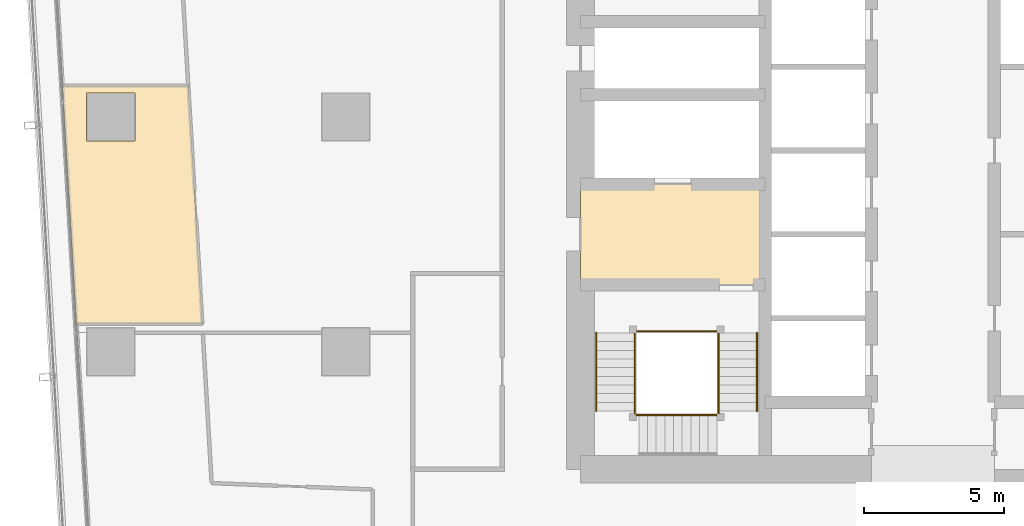
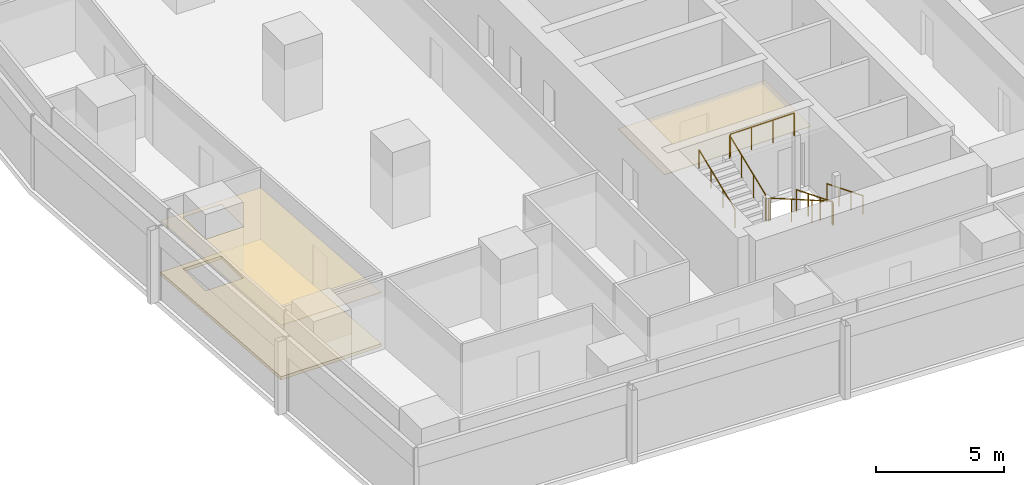
# One storey, part 33 of 39: 9 railings, 3 coverings.
"""IFC4 building model written with IfcOpenShell, lengths in metres."""

from ifc_helpers import new_model, si_unit, direction, frame, origin, origin_2d, place, context, subcontext, project, spatial, polyline, circle, outline, extrude, material, layer, layer_set, type_object, element, save


model = new_model("IFC4")

# Units and contexts
model_context = context("Model", 3, precision=1e-05, world=origin(), true_north=direction((0.0, 1.0)))
body_context = subcontext(model_context, "Body", "Model", "MODEL_VIEW")
ifc_project = project(units=[si_unit("LENGTHUNIT", "METRE"), si_unit("AREAUNIT", "SQUARE_METRE"), si_unit("VOLUMEUNIT", "CUBIC_METRE"), si_unit("PLANEANGLEUNIT", "RADIAN"), si_unit("MASSUNIT", "GRAM", prefix="KILO")], contexts=[model_context])

# Site, building, storey
site_placement = place(None, origin())
site = spatial("IfcSite", under=ifc_project, at=site_placement, CompositionType="ELEMENT")
building_placement = place(site_placement, origin())
building = spatial("IfcBuilding", under=site, at=building_placement, Name="Rekha Terrace Tower", CompositionType="ELEMENT")
storey_placement = place(building_placement, frame((0.0, 0.0, 180.199951171875)))
storey = spatial("IfcBuildingStorey", under=building, at=storey_placement, Name="L45", CompositionType="ELEMENT", Elevation=180.199951171875)

# Coverings
ifc_material_1 = material(Name="Mineral fibre tile in exposed grid", Category="finish")
ifc_layer_1 = layer(ifc_material_1, 0.02001953125)
ifc_layer_set_1 = layer_set([ifc_layer_1], Name="Mineral fibre tile in exposed grid")
covering_type_1 = type_object("IfcCoveringType", Name="CL1 600x1200 office grid ceiling", PredefinedType="CEILING", material=ifc_layer_set_1)
covering_1_placement = place(storey_placement, frame((0.0, 0.0, 2.580078125)))
element("IfcCovering", 1, at=covering_1_placement, inside=storey, type_object=covering_type_1, Name="Ceiling L45-21", PredefinedType="CEILING", context=body_context, shape_type="SweptSolid", body=[
    extrude(outline(polyline([(11.16796875, 34.7099609375), (6.660888671875, 34.7099609375), (7.162109375, 26.198974609375), (11.669921875, 26.198974609375), (11.16796875, 34.7099609375)]), holes=[polyline([(9.264892578125, 34.465087890625), (9.264892578125, 32.735107421875), (7.534912109375, 32.735107421875), (7.534912109375, 34.465087890625), (9.264892578125, 34.465087890625)])]), origin(), (0.0, 0.0, 1.0), 0.02001953125),
])
ifc_material_2 = material(Name="Powder-coated aluminium pan", Category="aluminium")
ifc_layer_2 = layer(ifc_material_2, 0.030029296875)
ifc_layer_set_2 = layer_set([ifc_layer_2], Name="Powder-coated aluminium pan")
covering_type_2 = type_object("IfcCoveringType", Name="CL3 300x1200 metal pan ceiling", PredefinedType="CEILING", material=ifc_layer_set_2)
covering_2_placement = place(storey_placement, frame((0.0, 0.0, 2.570068359375)))
element("IfcCovering", 2, at=covering_2_placement, inside=storey, type_object=covering_type_2, Name="Ceiling L45-FLB1", PredefinedType="CEILING", context=body_context, shape_type="SweptSolid", body=[
    extrude(outline(polyline([(31.800048828125, 31.199951171875), (25.199951171875, 31.199951171875), (25.199951171875, 27.60009765625), (31.800048828125, 27.60009765625), (31.800048828125, 31.199951171875)])), origin(), (0.0, 0.0, 1.0), 0.030029296875),
])

# Railings
ifc_material_3 = material(Name="Stainless steel balustrade", Category="steel")
railing_type_1 = type_object("IfcRailingType", Name="GR1 1100 stair guard", PredefinedType="GUARDRAIL", material=ifc_material_3)
railing_1_placement = place(storey_placement, frame((30.135009765625, 25.875, 0.125)))
element("IfcRailing", 3, at=railing_1_placement, inside=storey, type_object=railing_type_1, Name="Guard ST1 L45 flight 1", PredefinedType="GUARDRAIL", context=body_context, shape_type="SweptSolid", body=[
    extrude(circle(Radius=0.02392578125, at=origin_2d()), frame((0.0, 0.0, 1.076171875), z_axis=(0.0, -0.927443287984, 0.373963831907), x_axis=(1.0, 0.0, 0.0)), (0.0, 0.0, 1.0), 3.00830078125),
    extrude(circle(Radius=0.02099609375, at=origin_2d()), origin(), (0.0, 0.0, 1.0), 1.052001953125),
    extrude(circle(Radius=0.02099609375, at=origin_2d()), frame((0.0, -0.929931640625, 0.375)), (0.0, 0.0, 1.0), 1.052001953125),
    extrude(circle(Radius=0.02099609375, at=origin_2d()), frame((0.0, -1.860107421875, 0.75)), (0.0, 0.0, 1.0), 1.052001953125),
    extrude(circle(Radius=0.02099609375, at=origin_2d()), frame((0.0, -2.7900390625, 1.125)), (0.0, 0.0, 1.0), 1.052001953125),
])
railing_2_placement = place(storey_placement, frame((30.074951171875, 22.93994140625, 1.375)))
element("IfcRailing", 4, at=railing_2_placement, inside=storey, type_object=railing_type_1, Name="Guard ST1 L45 flight 2", PredefinedType="GUARDRAIL", context=body_context, shape_type="SweptSolid", body=[
    extrude(circle(Radius=0.02392578125, at=origin_2d()), frame((0.0, 0.0, 1.076171875), z_axis=(-0.927443287984, 0.0, 0.373963831907), x_axis=(0.0, -1.0, 0.0)), (0.0, 0.0, 1.0), 3.00830078125),
    extrude(circle(Radius=0.02099609375, at=origin_2d()), origin(), (0.0, 0.0, 1.0), 1.052001953125),
    extrude(circle(Radius=0.02099609375, at=origin_2d()), frame((-0.929931640625, 0.0, 0.375)), (0.0, 0.0, 1.0), 1.052001953125),
    extrude(circle(Radius=0.02099609375, at=origin_2d()), frame((-1.860107421875, 0.0, 0.75)), (0.0, 0.0, 1.0), 1.052001953125),
    extrude(circle(Radius=0.02099609375, at=origin_2d()), frame((-2.7900390625, 0.0, 1.125)), (0.0, 0.0, 1.0), 1.052001953125),
])
railing_3_placement = place(storey_placement, frame((27.139892578125, 23.0849609375, 2.625)))
element("IfcRailing", 5, at=railing_3_placement, inside=storey, type_object=railing_type_1, Name="Guard ST1 L45 flight 3", PredefinedType="GUARDRAIL", context=body_context, shape_type="SweptSolid", body=[
    extrude(circle(Radius=0.02392578125, at=origin_2d()), frame((0.0, 0.0, 1.076171875), z_axis=(0.0, 0.927443287984, 0.373963831907), x_axis=(-1.0, 0.0, 0.0)), (0.0, 0.0, 1.0), 3.00830078125),
    extrude(circle(Radius=0.02099609375, at=origin_2d()), origin(), (0.0, 0.0, 1.0), 1.052001953125),
    extrude(circle(Radius=0.02099609375, at=origin_2d()), frame((0.0, 0.929931640625, 0.375)), (0.0, 0.0, 1.0), 1.052001953125),
    extrude(circle(Radius=0.02099609375, at=origin_2d()), frame((0.0, 1.860107421875, 0.75)), (0.0, 0.0, 1.0), 1.052001953125),
    extrude(circle(Radius=0.02099609375, at=origin_2d()), frame((0.0, 2.7900390625, 1.125)), (0.0, 0.0, 1.0), 1.052001953125),
])
railing_4_placement = place(storey_placement, frame((30.135009765625, 23.0849609375, 1.25)))
element("IfcRailing", 6, at=railing_4_placement, inside=storey, type_object=railing_type_1, Name="Guard ST1 L45 landing 1", PredefinedType="GUARDRAIL", context=body_context, shape_type="SweptSolid", body=[
    extrude(circle(Radius=0.02392578125, at=origin_2d()), frame((0.0, 0.0, 1.076171875), z_axis=(0.0, -1.0, 0.0), x_axis=(1.0, 0.0, 0.0)), (0.0, 0.0, 1.0), 0.0849609375),
    extrude(circle(Radius=0.02099609375, at=origin_2d()), origin(), (0.0, 0.0, 1.0), 1.052001953125),
    extrude(circle(Radius=0.02099609375, at=origin_2d()), frame((0.0, -0.0849609375, 0.0)), (0.0, 0.0, 1.0), 1.052001953125),
])
railing_5_placement = place(storey_placement, frame((27.284912109375, 22.93994140625, 2.5)))
element("IfcRailing", 7, at=railing_5_placement, inside=storey, type_object=railing_type_1, Name="Guard ST1 L45 landing 2", PredefinedType="GUARDRAIL", context=body_context, shape_type="SweptSolid", body=[
    extrude(circle(Radius=0.02392578125, at=origin_2d()), frame((0.0, 0.0, 1.076171875), z_axis=(-1.0, 0.0, 0.0), x_axis=(0.0, -1.0, 0.0)), (0.0, 0.0, 1.0), 0.0849609375),
    extrude(circle(Radius=0.02099609375, at=origin_2d()), origin(), (0.0, 0.0, 1.0), 1.052001953125),
    extrude(circle(Radius=0.02099609375, at=origin_2d()), frame((-0.0849609375, 0.0, 0.0)), (0.0, 0.0, 1.0), 1.052001953125),
])
railing_6_placement = place(storey_placement, frame((27.139892578125, 23.0849609375, 2.5)))
element("IfcRailing", 8, at=railing_6_placement, inside=storey, type_object=railing_type_1, Name="Guard ST1 L45 landing 3", PredefinedType="GUARDRAIL", context=body_context, shape_type="SweptSolid", body=[
    extrude(circle(Radius=0.02392578125, at=origin_2d()), frame((0.0, 0.0, 1.076171875), z_axis=(0.0, -1.0, 0.0), x_axis=(1.0, 0.0, 0.0)), (0.0, 0.0, 1.0), 0.0849609375),
    extrude(circle(Radius=0.02099609375, at=origin_2d()), origin(), (0.0, 0.0, 1.0), 1.052001953125),
    extrude(circle(Radius=0.02099609375, at=origin_2d()), frame((0.0, -0.0849609375, 0.0)), (0.0, 0.0, 1.0), 1.052001953125),
])
railing_7_placement = place(storey_placement, frame((30.074951171875, 25.93505859375, 3.75)))
element("IfcRailing", 9, at=railing_7_placement, inside=storey, type_object=railing_type_1, Name="Guard ST1 L45 landing 4", PredefinedType="GUARDRAIL", context=body_context, shape_type="SweptSolid", body=[
    extrude(circle(Radius=0.02392578125, at=origin_2d()), frame((0.0, 0.0, 1.076171875), z_axis=(-1.0, 0.0, 0.0), x_axis=(0.0, -1.0, 0.0)), (0.0, 0.0, 1.0), 2.875),
    extrude(circle(Radius=0.02099609375, at=origin_2d()), origin(), (0.0, 0.0, 1.0), 1.052001953125),
    extrude(circle(Radius=0.02099609375, at=origin_2d()), frame((-0.958251953125, 0.0, 0.0)), (0.0, 0.0, 1.0), 1.052001953125),
    extrude(circle(Radius=0.02099609375, at=origin_2d()), frame((-1.916748046875, 0.0, 0.0)), (0.0, 0.0, 1.0), 1.052001953125),
    extrude(circle(Radius=0.02099609375, at=origin_2d()), frame((-2.875, 0.0, 0.0)), (0.0, 0.0, 1.0), 1.052001953125),
])
ifc_material_4 = material(Name="Stainless steel tube", Category="steel")
railing_type_2 = type_object("IfcRailingType", Name="HR1 900 stair handrail", PredefinedType="HANDRAIL", material=ifc_material_4)
railing_8_placement = place(storey_placement, frame((31.514892578125, 25.875, 0.125)))
element("IfcRailing", 10, at=railing_8_placement, inside=storey, type_object=railing_type_2, Name="Handrail ST1 L45 flight 1", PredefinedType="HANDRAIL", context=body_context, shape_type="SweptSolid", body=[
    extrude(circle(Radius=0.02392578125, at=origin_2d()), frame((0.0, 0.0, 0.8759765625), z_axis=(0.0, -0.927443287984, 0.373963831907), x_axis=(1.0, 0.0, 0.0)), (0.0, 0.0, 1.0), 3.00830078125),
    extrude(circle(Radius=0.02099609375, at=origin_2d()), origin(), (0.0, 0.0, 1.0), 0.851806640625),
    extrude(circle(Radius=0.02099609375, at=origin_2d()), frame((0.0, -0.929931640625, 0.375)), (0.0, 0.0, 1.0), 0.851806640625),
    extrude(circle(Radius=0.02099609375, at=origin_2d()), frame((0.0, -1.860107421875, 0.75)), (0.0, 0.0, 1.0), 0.851806640625),
    extrude(circle(Radius=0.02099609375, at=origin_2d()), frame((0.0, -2.7900390625, 1.125)), (0.0, 0.0, 1.0), 0.851806640625),
])
railing_9_placement = place(storey_placement, frame((25.760009765625, 23.0849609375, 2.625)))
element("IfcRailing", 11, at=railing_9_placement, inside=storey, type_object=railing_type_2, Name="Handrail ST1 L45 flight 3", PredefinedType="HANDRAIL", context=body_context, shape_type="SweptSolid", body=[
    extrude(circle(Radius=0.02392578125, at=origin_2d()), frame((0.0, 0.0, 0.8759765625), z_axis=(0.0, 0.927443287984, 0.373963831907), x_axis=(-1.0, 0.0, 0.0)), (0.0, 0.0, 1.0), 3.00830078125),
    extrude(circle(Radius=0.02099609375, at=origin_2d()), origin(), (0.0, 0.0, 1.0), 0.851806640625),
    extrude(circle(Radius=0.02099609375, at=origin_2d()), frame((0.0, 0.929931640625, 0.375)), (0.0, 0.0, 1.0), 0.851806640625),
    extrude(circle(Radius=0.02099609375, at=origin_2d()), frame((0.0, 1.860107421875, 0.75)), (0.0, 0.0, 1.0), 0.851806640625),
    extrude(circle(Radius=0.02099609375, at=origin_2d()), frame((0.0, 2.7900390625, 1.125)), (0.0, 0.0, 1.0), 0.851806640625),
])

# Covering
ifc_material_5 = material(Name="Calcium sulphate panels on steel pedestals", Category="steel")
ifc_layer_3 = layer(ifc_material_5, 0.14990234375)
ifc_layer_set_3 = layer_set([ifc_layer_3], Name="Calcium sulphate panels on steel pedestals")
covering_type_3 = type_object("IfcCoveringType", Name="RF1 150 raised access floor", PredefinedType="FLOORING", material=ifc_layer_set_3)
covering_3_placement = place(storey_placement, origin())
element("IfcCovering", 12, at=covering_3_placement, inside=storey, type_object=covering_type_3, Name="Raised floor L45-21", PredefinedType="FLOORING", context=body_context, shape_type="SweptSolid", body=[
    extrude(outline(polyline([(11.16796875, 34.7099609375), (6.660888671875, 34.7099609375), (7.162109375, 26.198974609375), (11.669921875, 26.198974609375), (11.16796875, 34.7099609375)]), holes=[polyline([(9.264892578125, 34.465087890625), (9.264892578125, 32.735107421875), (7.534912109375, 32.735107421875), (7.534912109375, 34.465087890625), (9.264892578125, 34.465087890625)])]), origin(), (0.0, 0.0, 1.0), 0.150146484375),
])

save(model, "model.ifc")
